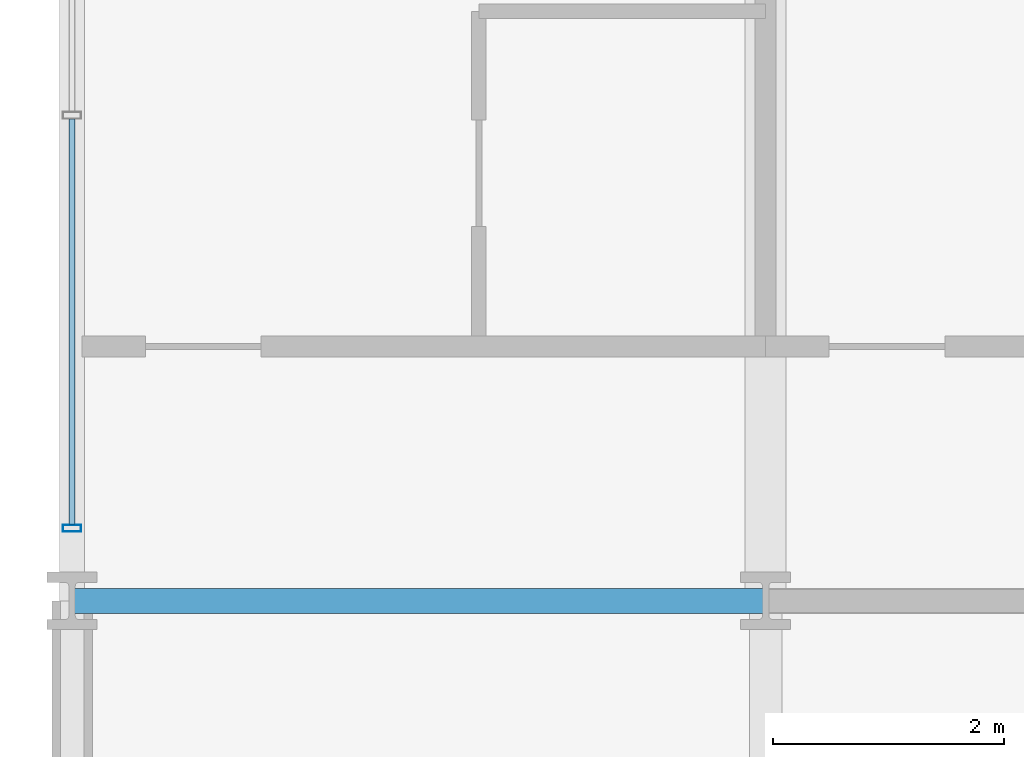
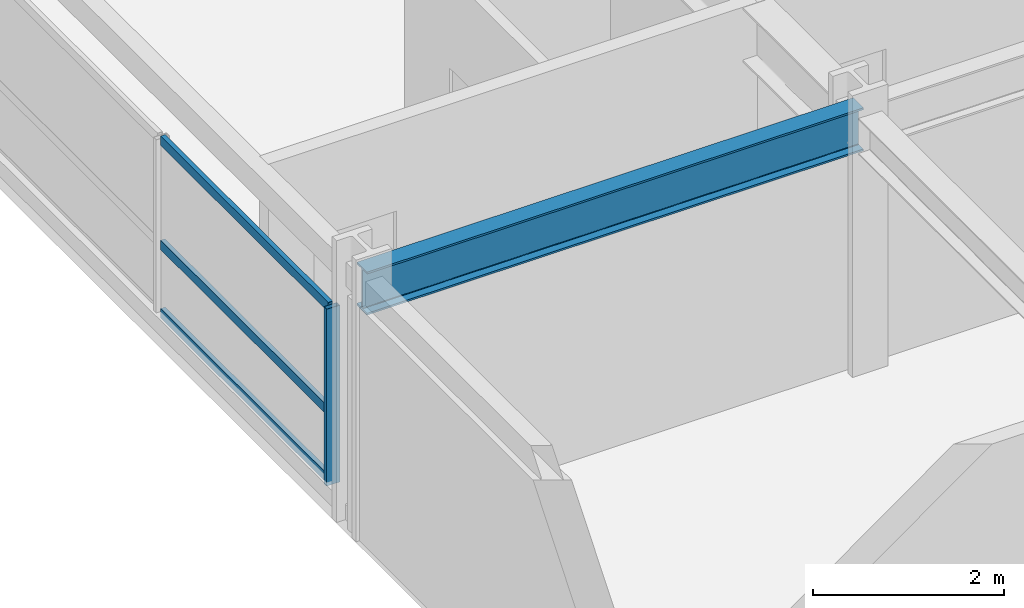
# One storey, part 6 of 22: 4 members, 1 beam, 1 element without a shape of its own.
"""IFC4 building model written with IfcOpenShell, lengths in metres."""

import ifcopenshell
import ifcopenshell.guid

model = None  # the IFC model being written
_history = None  # IfcOwnerHistory: only IFC2X3 demands one
_inside = {}  # id of a spatial element -> (the spatial element, [elements in it])
_under = {}  # id of a project, library or spatial element -> (it, [spatial elements below it])
_declared = {}  # id of a project -> (the project, [libraries it declares])
_typed = {}  # id of a type object -> (the type object, [elements of that type])
_made_of = {}  # id of a material, layer set ... -> (it, [elements and type objects made of it])


def new_model(schema):
    """Start an empty IFC model of exactly this schema.

    Asked for "IFC4X3", IfcOpenShell would pick the latest addendum, in which some entities
    have other attributes; the version numbers below select the first issue.
    IFC2X3 requires an IfcOwnerHistory on every rooted entity: one is made here for all.
    """
    global model, _history
    if schema == "IFC4X3":
        model = ifcopenshell.file(schema_version=(4, 3, 0, 0))
    else:
        model = ifcopenshell.file(schema=schema)
    _inside.clear()
    _under.clear()
    _declared.clear()
    _typed.clear()
    _made_of.clear()
    _history = None
    if model.schema == "IFC2X3":
        org = make("IfcOrganization", Name="unknown")
        user = make(
            "IfcPersonAndOrganization",
            ThePerson=make("IfcPerson", FamilyName="unknown"),
            TheOrganization=org,
        )
        app = make(
            "IfcApplication",
            ApplicationDeveloper=org,
            Version="unknown",
            ApplicationFullName="unknown",
            ApplicationIdentifier="unknown",
        )
        _history = make(
            "IfcOwnerHistory",
            OwningUser=user,
            OwningApplication=app,
            ChangeAction="ADDED",
            CreationDate=0,
        )
    return model


def make(cls, **values):
    """One entity of the class cls with the attributes given. An attribute that is None is left unset."""
    return model.create_entity(
        cls, **{name: value for name, value in values.items() if value is not None}
    )


def rooted(cls, **values):
    """An entity with a GlobalId (a new one), such as an element, a storey or a relation."""
    return make(cls, GlobalId=ifcopenshell.guid.new(), OwnerHistory=_history, **values)


def si_unit(unit_type, name, prefix=None):
    """IfcSIUnit, for example si_unit("LENGTHUNIT", "METRE", prefix="MILLI")."""
    return make("IfcSIUnit", UnitType=unit_type, Prefix=prefix, Name=name)


def assignment(units):
    """IfcUnitAssignment: the units of a project."""
    return None if units is None else make("IfcUnitAssignment", Units=units)


def point(xyz):
    """IfcCartesianPoint."""
    return None if xyz is None else make("IfcCartesianPoint", Coordinates=xyz)


def direction(xyz):
    """IfcDirection."""
    return None if xyz is None else make("IfcDirection", DirectionRatios=xyz)


def frame(location, z_axis=None, x_axis=None):
    """IfcAxis2Placement3D, a coordinate frame: its origin and axes. An axis left out is left unset."""
    return make(
        "IfcAxis2Placement3D",
        Location=point(location),
        Axis=direction(z_axis),
        RefDirection=direction(x_axis),
    )


def frame_2d(location, x_axis=None):
    """IfcAxis2Placement2D, a coordinate frame in the plane: its origin and x axis."""
    return make(
        "IfcAxis2Placement2D", Location=point(location), RefDirection=direction(x_axis)
    )


def origin():
    """The frame at (0, 0, 0) with its axes left unset."""
    return frame((0.0, 0.0, 0.0))


def origin_2d():
    """The frame at (0, 0) in the plane with its x axis left unset."""
    return frame_2d((0.0, 0.0))


def place(relative_to, where):
    """IfcLocalPlacement: puts the frame where relative to a parent placement (None: the world)."""
    return make(
        "IfcLocalPlacement", PlacementRelTo=relative_to, RelativePlacement=where
    )


def context(
    kind, dimensions, precision=None, world=None, true_north=None, identifier=None
):
    """IfcGeometricRepresentationContext, for example the 3D "Model" context."""
    return make(
        "IfcGeometricRepresentationContext",
        ContextIdentifier=identifier,
        ContextType=kind,
        CoordinateSpaceDimension=dimensions,
        Precision=precision,
        WorldCoordinateSystem=world,
        TrueNorth=true_north,
    )


def subcontext(parent, identifier, kind, view, scale=None):
    """IfcGeometricRepresentationSubContext, for example "Body" below "Model"."""
    return make(
        "IfcGeometricRepresentationSubContext",
        ContextIdentifier=identifier,
        ContextType=kind,
        ParentContext=parent,
        TargetScale=scale,
        TargetView=view,
    )


def project(units=None, contexts=None):
    """IfcProject with its units and contexts."""
    return rooted(
        "IfcProject",
        Name="project",
        RepresentationContexts=contexts,
        UnitsInContext=assignment(units),
    )


def spatial(cls, under=None, at=None, **own):
    """A site, building, storey or space (cls), placed at a placement, below another one or the project."""
    s = rooted(cls, ObjectPlacement=at, **own)
    if under is not None:
        _under.setdefault(under.id(), (under, []))[1].append(s)
    return s


def profile(cls, at=None, kind="AREA", **sizes):
    """A parametric profile (cls). Its sizes go by their IFC names, for example OverallWidth=200.0."""
    return make(cls, ProfileType=kind, Position=at, **sizes)


def hollow_rectangle(**sizes):
    """IfcRectangleHollowProfileDef."""
    return profile("IfcRectangleHollowProfileDef", **sizes)


def i_section(**sizes):
    """IfcIShapeProfileDef."""
    return profile("IfcIShapeProfileDef", **sizes)


def extrude(swept, where, along, depth):
    """IfcExtrudedAreaSolid: the profile swept, set in the frame where, extruded along a direction by depth."""
    return make(
        "IfcExtrudedAreaSolid",
        SweptArea=swept,
        Position=where,
        ExtrudedDirection=direction(along),
        Depth=depth,
    )


def shape(context_of_items, identifier, shape_type, items):
    """IfcShapeRepresentation: the items that make up one representation, for example the "Body"."""
    return make(
        "IfcShapeRepresentation",
        ContextOfItems=context_of_items,
        RepresentationIdentifier=identifier,
        RepresentationType=shape_type,
        Items=items,
    )


def material(Name=None, Category=None):
    """IfcMaterial."""
    return make("IfcMaterial", Name=Name, Category=Category)


def material_profile(
    of_material, cross_section, Name=None, Category=None, Priority=None
):
    """IfcMaterialProfile: a cross section and its material."""
    return make(
        "IfcMaterialProfile",
        Name=Name,
        Material=of_material,
        Profile=cross_section,
        Priority=Priority,
        Category=Category,
    )


def profile_set(profiles, Name=None, composite=None):
    """IfcMaterialProfileSet."""
    return make(
        "IfcMaterialProfileSet",
        Name=Name,
        MaterialProfiles=profiles,
        CompositeProfile=composite,
    )


def made_of(thing, what):
    """Note that an element or type object is made of a material, layer set ...; save() writes the relation."""
    if what is not None:
        _made_of.setdefault(what.id(), (what, []))[1].append(thing)
    return thing


def type_object(cls, material=None, **own):
    """A type object (cls), such as IfcWallType, which elements share."""
    return made_of(rooted(cls, **own), material)


def element(
    cls,
    number,
    at=None,
    inside=None,
    cuts=None,
    type_object=None,
    material=None,
    context=None,
    identifier="Body",
    shape_type=None,
    held_by="IfcProductDefinitionShape",
    body=None,
    shapes=None,
    **own,
):
    """One element of the class cls, such as IfcWall. Its Tag is "e" and its number.

    at: its placement. inside: the storey or other place that contains it. cuts: it is an
    opening in that element (IfcRelVoidsElement). A single representation is given by context,
    identifier, shape_type and body (its items); several are given by shapes. held_by: the class
    of the entity that holds the representations. save() writes the other relations.
    """
    e = rooted(cls, Tag="e%d" % number, ObjectPlacement=at, **own)
    if body is not None:
        shapes = [shape(context, identifier, shape_type, body)]
    if shapes is not None:
        e.Representation = make(held_by, Representations=shapes)
    if inside is not None:
        _inside.setdefault(inside.id(), (inside, []))[1].append(e)
    if cuts is not None:
        rooted(
            "IfcRelVoidsElement", RelatingBuildingElement=cuts, RelatedOpeningElement=e
        )
    if type_object is not None:
        _typed.setdefault(type_object.id(), (type_object, []))[1].append(e)
    return made_of(e, material)


def aggregate(whole, parts):
    """IfcRelAggregates: a whole, such as a stair, and the parts it consists of."""
    return rooted("IfcRelAggregates", RelatingObject=whole, RelatedObjects=parts)


def save(model, path):
    """Write the relations noted so far, then the file.

    IfcRelAggregates (storeys below a building ...), IfcRelContainedInSpatialStructure (elements
    in a storey), IfcRelDefinesByType, IfcRelAssociatesMaterial and IfcRelDeclares: one each for
    every whole, place, type object, material and project.
    """
    for whole, parts in _under.values():
        aggregate(whole, parts)
    for where, things in _inside.values():
        rooted(
            "IfcRelContainedInSpatialStructure",
            RelatedElements=things,
            RelatingStructure=where,
        )
    for kind, things in _typed.values():
        rooted("IfcRelDefinesByType", RelatedObjects=things, RelatingType=kind)
    for what, things in _made_of.values():
        rooted("IfcRelAssociatesMaterial", RelatedObjects=things, RelatingMaterial=what)
    for by, libraries in _declared.values():
        rooted("IfcRelDeclares", RelatingContext=by, RelatedDefinitions=libraries)
    model.write(path)


model = new_model("IFC4")

# Units and contexts
model_context = context("Model", 3, precision=1e-05, world=origin(), true_north=direction((0.0, 1.0)))
body_context = subcontext(model_context, "Body", "Model", "MODEL_VIEW")
ifc_project = project(units=[si_unit("LENGTHUNIT", "METRE"), si_unit("AREAUNIT", "SQUARE_METRE"), si_unit("VOLUMEUNIT", "CUBIC_METRE"), si_unit("PLANEANGLEUNIT", "RADIAN"), si_unit("MASSUNIT", "GRAM", prefix="KILO")], contexts=[model_context])

# Site, building, storey
site_placement = place(None, origin())
site = spatial("IfcSite", under=ifc_project, at=site_placement, CompositionType="ELEMENT")
building_placement = place(site_placement, origin())
building = spatial("IfcBuilding", under=site, at=building_placement, Name="Kaldorvane Square Convention Centre", CompositionType="ELEMENT")
storey_placement = place(building_placement, frame((0.0, 0.0, 34.80000305175781)))
storey = spatial("IfcBuildingStorey", under=building, at=storey_placement, Name="L07", CompositionType="ELEMENT", Elevation=34.80000305175781)

# Beam
ifc_material_1 = material(Name="Steel ASTM A992 Gr. 50", Category="steel")
ifc_material_profile_1 = material_profile(ifc_material_1, i_section(OverallWidth=0.213897705078125, OverallDepth=0.549102783203125, WebThickness=0.0146942138671875, FlangeThickness=0.0236053466796875, FilletRadius=0.0126953125, at=origin_2d()), Name="W21X93")
ifc_profile_set_1 = profile_set([ifc_material_profile_1], Name="Steel ASTM A992 Gr. 50")
beam_type = type_object("IfcBeamType", Name="BM-GR-W21X93", PredefinedType="BEAM", material=ifc_profile_set_1)
beam_placement = place(storey_placement, frame((24.0, 105.0, 3.0114898681640625), z_axis=(1.0, 0.0, 0.0), x_axis=(0.0, 1.0, 0.0)))
element("IfcBeam", 1, at=beam_placement, inside=storey, type_object=beam_type, Name="Primary Girder (L07)", PredefinedType="BEAM", context=body_context, shape_type="SweptSolid", body=[
    extrude(i_section(OverallWidth=0.213897705078125, OverallDepth=0.549102783203125, WebThickness=0.0146942138671875, FlangeThickness=0.0236053466796875, FilletRadius=0.0126953125, at=origin_2d()), origin(), (0.0, 0.0, 1.0), 6.0),
])

# Curtain wall, members
ifc_material_2 = material(Name="Anodized Aluminum and Low-E Insulated Glazing", Category="aluminium")
curtain_wall_type = type_object("IfcCurtainWallType", Name="CW-UNI-HTL-B", PredefinedType="USERDEFINED", material=ifc_material_2)
curtain_wall_placement = place(storey_placement, origin())
curtain_wall = element("IfcCurtainWall", 2, at=curtain_wall_placement, inside=storey, type_object=curtain_wall_type, Name="Curtain Wall CW-11 (L07)", ObjectType="UNITISED GLAZING", PredefinedType="USERDEFINED")
ifc_material_profile_2 = material_profile(ifc_material_2, hollow_rectangle(XDim=0.05999755859375, YDim=0.160003662109375, WallThickness=0.003204345703125, at=origin_2d()), Name="CWM-160X60")
ifc_profile_set_2 = profile_set([ifc_material_profile_2], Name="Anodized Aluminum and Low-E Insulated Glazing")
member_type_1 = type_object("IfcMemberType", Name="CW-MUL-160", PredefinedType="MULLION", material=ifc_profile_set_2)
member_1_placement = place(storey_placement, frame((24.0, 105.6300048828125, 0.149993896484375), z_axis=(0.0, 0.0, 1.0), x_axis=(0.0, -1.0, 0.0)))
member_1 = element("IfcMember", 3, at=member_1_placement, type_object=member_type_1, Name="CW-11 mullion 4", PredefinedType="MULLION", context=body_context, shape_type="SweptSolid", body=[
    extrude(hollow_rectangle(XDim=0.05999755859375, YDim=0.160003662109375, WallThickness=0.003204345703125, at=origin_2d()), origin(), (0.0, 0.0, 1.0), 2.260009765625),
])
ifc_material_profile_3 = material_profile(ifc_material_2, hollow_rectangle(XDim=0.05499267578125, YDim=0.1199951171875, WallThickness=0.0030059814453125, at=origin_2d()), Name="CWT-120X55")
ifc_profile_set_3 = profile_set([ifc_material_profile_3], Name="Anodized Aluminum and Low-E Insulated Glazing")
member_type_2 = type_object("IfcMemberType", Name="CW-TRN-120", PredefinedType="USERDEFINED", material=ifc_profile_set_3)
member_2_placement = place(storey_placement, frame((24.0, 109.16999816894531, 0.177490234375), z_axis=(0.0, -1.0, 0.0), x_axis=(1.0, 0.0, 0.0)))
member_2 = element("IfcMember", 4, at=member_2_placement, type_object=member_type_2, Name="CW-11 transom 3.1", ObjectType="TRANSOM", PredefinedType="USERDEFINED", context=body_context, shape_type="SweptSolid", body=[
    extrude(hollow_rectangle(XDim=0.05499267578125, YDim=0.1199951171875, WallThickness=0.0030059814453125, at=origin_2d()), origin(), (0.0, 0.0, 1.0), 3.5099945068359375),
])
member_3_placement = place(storey_placement, frame((24.0, 109.16999816894531, 1.0500030517578125), z_axis=(0.0, -1.0, 0.0), x_axis=(1.0, 0.0, 0.0)))
member_3 = element("IfcMember", 5, at=member_3_placement, type_object=member_type_2, Name="CW-11 transom 3.2", ObjectType="TRANSOM", PredefinedType="USERDEFINED", context=body_context, shape_type="SweptSolid", body=[
    extrude(hollow_rectangle(XDim=0.05499267578125, YDim=0.1199951171875, WallThickness=0.0030059814453125, at=origin_2d()), origin(), (0.0, 0.0, 1.0), 3.5099945068359375),
])
member_4_placement = place(storey_placement, frame((24.0, 109.16999816894531, 2.3824920654296875), z_axis=(0.0, -1.0, 0.0), x_axis=(1.0, 0.0, 0.0)))
member_4 = element("IfcMember", 6, at=member_4_placement, type_object=member_type_2, Name="CW-11 transom 3.3", ObjectType="TRANSOM", PredefinedType="USERDEFINED", context=body_context, shape_type="SweptSolid", body=[
    extrude(hollow_rectangle(XDim=0.05499267578125, YDim=0.1199951171875, WallThickness=0.0030059814453125, at=origin_2d()), origin(), (0.0, 0.0, 1.0), 3.5099945068359375),
])
aggregate(curtain_wall, [member_1, member_2, member_3, member_4])

save(model, "model.ifc")
